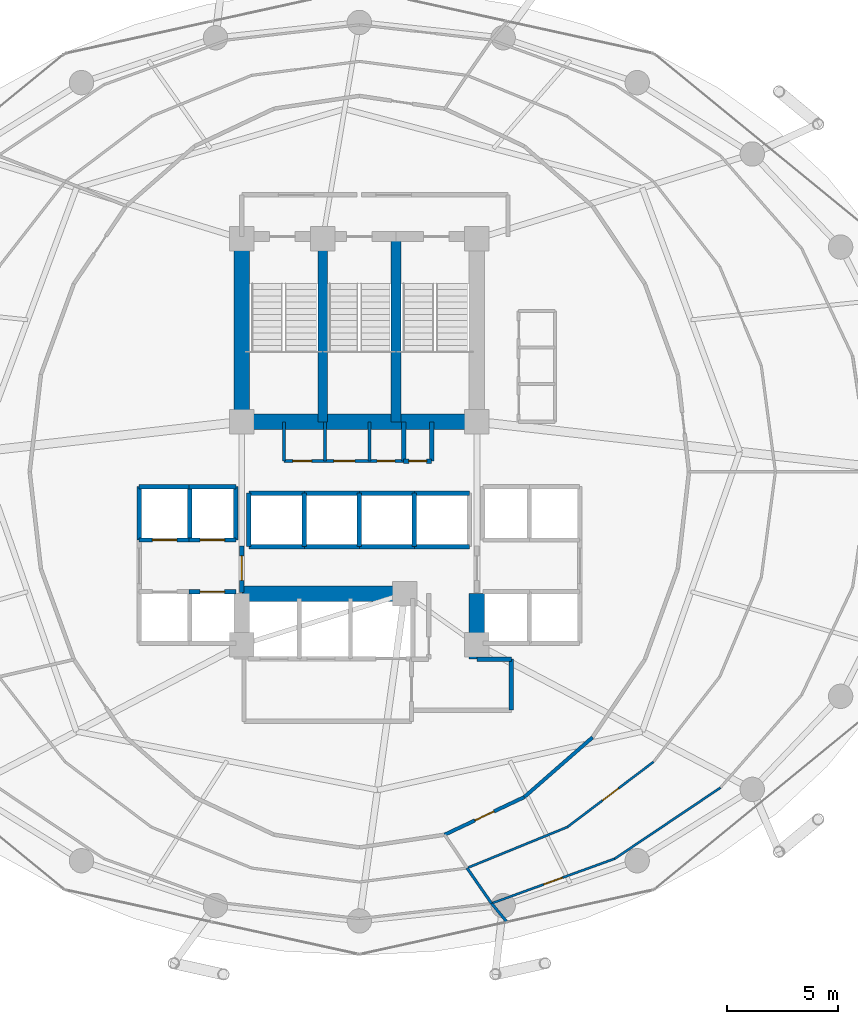
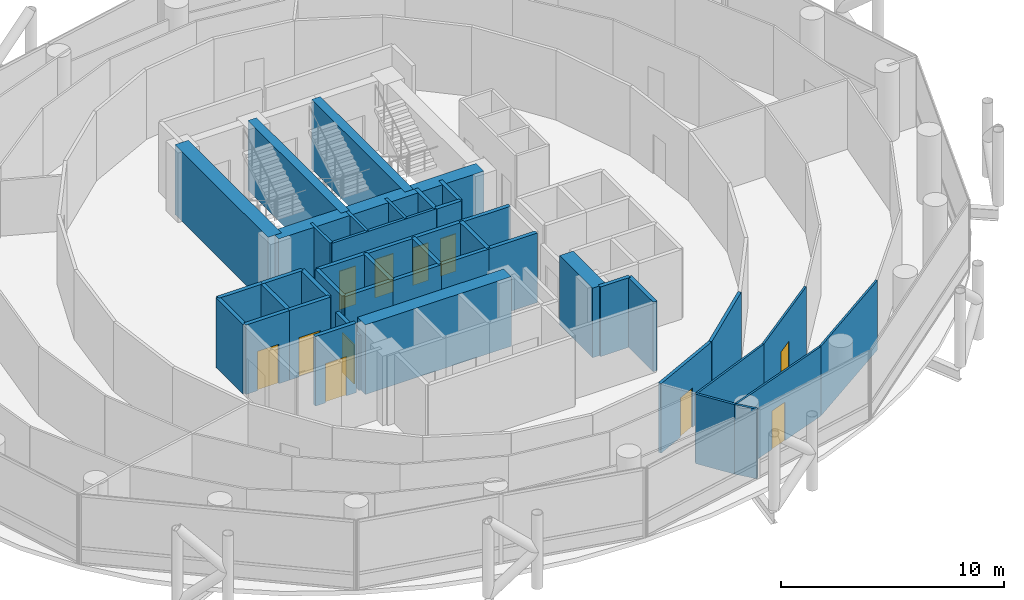
# One storey, part 22 of 26: 44 walls, 11 doors, 11 openings.
"""IFC4 building model written with IfcOpenShell, lengths in metres."""

import ifcopenshell
import ifcopenshell.guid

model = None  # the IFC model being written
_history = None  # IfcOwnerHistory: only IFC2X3 demands one
_inside = {}  # id of a spatial element -> (the spatial element, [elements in it])
_under = {}  # id of a project, library or spatial element -> (it, [spatial elements below it])
_declared = {}  # id of a project -> (the project, [libraries it declares])
_typed = {}  # id of a type object -> (the type object, [elements of that type])
_made_of = {}  # id of a material, layer set ... -> (it, [elements and type objects made of it])


def new_model(schema):
    """Start an empty IFC model of exactly this schema.

    Asked for "IFC4X3", IfcOpenShell would pick the latest addendum, in which some entities
    have other attributes; the version numbers below select the first issue.
    IFC2X3 requires an IfcOwnerHistory on every rooted entity: one is made here for all.
    """
    global model, _history
    if schema == "IFC4X3":
        model = ifcopenshell.file(schema_version=(4, 3, 0, 0))
    else:
        model = ifcopenshell.file(schema=schema)
    _inside.clear()
    _under.clear()
    _declared.clear()
    _typed.clear()
    _made_of.clear()
    _history = None
    if model.schema == "IFC2X3":
        org = make("IfcOrganization", Name="unknown")
        user = make(
            "IfcPersonAndOrganization",
            ThePerson=make("IfcPerson", FamilyName="unknown"),
            TheOrganization=org,
        )
        app = make(
            "IfcApplication",
            ApplicationDeveloper=org,
            Version="unknown",
            ApplicationFullName="unknown",
            ApplicationIdentifier="unknown",
        )
        _history = make(
            "IfcOwnerHistory",
            OwningUser=user,
            OwningApplication=app,
            ChangeAction="ADDED",
            CreationDate=0,
        )
    return model


def make(cls, **values):
    """One entity of the class cls with the attributes given. An attribute that is None is left unset."""
    return model.create_entity(
        cls, **{name: value for name, value in values.items() if value is not None}
    )


def rooted(cls, **values):
    """An entity with a GlobalId (a new one), such as an element, a storey or a relation."""
    return make(cls, GlobalId=ifcopenshell.guid.new(), OwnerHistory=_history, **values)


def si_unit(unit_type, name, prefix=None):
    """IfcSIUnit, for example si_unit("LENGTHUNIT", "METRE", prefix="MILLI")."""
    return make("IfcSIUnit", UnitType=unit_type, Prefix=prefix, Name=name)


def assignment(units):
    """IfcUnitAssignment: the units of a project."""
    return None if units is None else make("IfcUnitAssignment", Units=units)


def point(xyz):
    """IfcCartesianPoint."""
    return None if xyz is None else make("IfcCartesianPoint", Coordinates=xyz)


def direction(xyz):
    """IfcDirection."""
    return None if xyz is None else make("IfcDirection", DirectionRatios=xyz)


def frame(location, z_axis=None, x_axis=None):
    """IfcAxis2Placement3D, a coordinate frame: its origin and axes. An axis left out is left unset."""
    return make(
        "IfcAxis2Placement3D",
        Location=point(location),
        Axis=direction(z_axis),
        RefDirection=direction(x_axis),
    )


def frame_2d(location, x_axis=None):
    """IfcAxis2Placement2D, a coordinate frame in the plane: its origin and x axis."""
    return make(
        "IfcAxis2Placement2D", Location=point(location), RefDirection=direction(x_axis)
    )


def origin():
    """The frame at (0, 0, 0) with its axes left unset."""
    return frame((0.0, 0.0, 0.0))


def place(relative_to, where):
    """IfcLocalPlacement: puts the frame where relative to a parent placement (None: the world)."""
    return make(
        "IfcLocalPlacement", PlacementRelTo=relative_to, RelativePlacement=where
    )


def context(
    kind, dimensions, precision=None, world=None, true_north=None, identifier=None
):
    """IfcGeometricRepresentationContext, for example the 3D "Model" context."""
    return make(
        "IfcGeometricRepresentationContext",
        ContextIdentifier=identifier,
        ContextType=kind,
        CoordinateSpaceDimension=dimensions,
        Precision=precision,
        WorldCoordinateSystem=world,
        TrueNorth=true_north,
    )


def subcontext(parent, identifier, kind, view, scale=None):
    """IfcGeometricRepresentationSubContext, for example "Body" below "Model"."""
    return make(
        "IfcGeometricRepresentationSubContext",
        ContextIdentifier=identifier,
        ContextType=kind,
        ParentContext=parent,
        TargetScale=scale,
        TargetView=view,
    )


def project(units=None, contexts=None):
    """IfcProject with its units and contexts."""
    return rooted(
        "IfcProject",
        Name="project",
        RepresentationContexts=contexts,
        UnitsInContext=assignment(units),
    )


def spatial(cls, under=None, at=None, **own):
    """A site, building, storey or space (cls), placed at a placement, below another one or the project."""
    s = rooted(cls, ObjectPlacement=at, **own)
    if under is not None:
        _under.setdefault(under.id(), (under, []))[1].append(s)
    return s


def profile(cls, at=None, kind="AREA", **sizes):
    """A parametric profile (cls). Its sizes go by their IFC names, for example OverallWidth=200.0."""
    return make(cls, ProfileType=kind, Position=at, **sizes)


def rectangle(**sizes):
    """IfcRectangleProfileDef."""
    return profile("IfcRectangleProfileDef", **sizes)


def extrude(swept, where, along, depth):
    """IfcExtrudedAreaSolid: the profile swept, set in the frame where, extruded along a direction by depth."""
    return make(
        "IfcExtrudedAreaSolid",
        SweptArea=swept,
        Position=where,
        ExtrudedDirection=direction(along),
        Depth=depth,
    )


def shape(context_of_items, identifier, shape_type, items):
    """IfcShapeRepresentation: the items that make up one representation, for example the "Body"."""
    return make(
        "IfcShapeRepresentation",
        ContextOfItems=context_of_items,
        RepresentationIdentifier=identifier,
        RepresentationType=shape_type,
        Items=items,
    )


def material(Name=None, Category=None):
    """IfcMaterial."""
    return make("IfcMaterial", Name=Name, Category=Category)


def layer(
    of_material, thickness, ventilated=None, Name=None, Category=None, Priority=None
):
    """IfcMaterialLayer: one layer of a wall or slab, of a material (None: an air gap)."""
    return make(
        "IfcMaterialLayer",
        Material=of_material,
        LayerThickness=thickness,
        IsVentilated=ventilated,
        Name=Name,
        Category=Category,
        Priority=Priority,
    )


def layer_set(layers, Name=None):
    """IfcMaterialLayerSet."""
    return make("IfcMaterialLayerSet", MaterialLayers=layers, LayerSetName=Name)


def made_of(thing, what):
    """Note that an element or type object is made of a material, layer set ...; save() writes the relation."""
    if what is not None:
        _made_of.setdefault(what.id(), (what, []))[1].append(thing)
    return thing


def type_object(cls, material=None, **own):
    """A type object (cls), such as IfcWallType, which elements share."""
    return made_of(rooted(cls, **own), material)


def element(
    cls,
    number,
    at=None,
    inside=None,
    cuts=None,
    type_object=None,
    material=None,
    context=None,
    identifier="Body",
    shape_type=None,
    held_by="IfcProductDefinitionShape",
    body=None,
    shapes=None,
    **own,
):
    """One element of the class cls, such as IfcWall. Its Tag is "e" and its number.

    at: its placement. inside: the storey or other place that contains it. cuts: it is an
    opening in that element (IfcRelVoidsElement). A single representation is given by context,
    identifier, shape_type and body (its items); several are given by shapes. held_by: the class
    of the entity that holds the representations. save() writes the other relations.
    """
    e = rooted(cls, Tag="e%d" % number, ObjectPlacement=at, **own)
    if body is not None:
        shapes = [shape(context, identifier, shape_type, body)]
    if shapes is not None:
        e.Representation = make(held_by, Representations=shapes)
    if inside is not None:
        _inside.setdefault(inside.id(), (inside, []))[1].append(e)
    if cuts is not None:
        rooted(
            "IfcRelVoidsElement", RelatingBuildingElement=cuts, RelatedOpeningElement=e
        )
    if type_object is not None:
        _typed.setdefault(type_object.id(), (type_object, []))[1].append(e)
    return made_of(e, material)


def fill(opening, filler):
    """IfcRelFillsElement: the door or window that sits in an opening."""
    return rooted(
        "IfcRelFillsElement",
        RelatingOpeningElement=opening,
        RelatedBuildingElement=filler,
    )


def aggregate(whole, parts):
    """IfcRelAggregates: a whole, such as a stair, and the parts it consists of."""
    return rooted("IfcRelAggregates", RelatingObject=whole, RelatedObjects=parts)


def save(model, path):
    """Write the relations noted so far, then the file.

    IfcRelAggregates (storeys below a building ...), IfcRelContainedInSpatialStructure (elements
    in a storey), IfcRelDefinesByType, IfcRelAssociatesMaterial and IfcRelDeclares: one each for
    every whole, place, type object, material and project.
    """
    for whole, parts in _under.values():
        aggregate(whole, parts)
    for where, things in _inside.values():
        rooted(
            "IfcRelContainedInSpatialStructure",
            RelatedElements=things,
            RelatingStructure=where,
        )
    for kind, things in _typed.values():
        rooted("IfcRelDefinesByType", RelatedObjects=things, RelatingType=kind)
    for what, things in _made_of.values():
        rooted("IfcRelAssociatesMaterial", RelatedObjects=things, RelatingMaterial=what)
    for by, libraries in _declared.values():
        rooted("IfcRelDeclares", RelatingContext=by, RelatedDefinitions=libraries)
    model.write(path)


model = new_model("IFC4")

# Units and contexts
model_context = context("Model", 3, precision=1e-05, world=origin(), true_north=direction((0.0, 1.0)))
body_context = subcontext(model_context, "Body", "Model", "MODEL_VIEW")
ifc_project = project(units=[si_unit("LENGTHUNIT", "METRE"), si_unit("AREAUNIT", "SQUARE_METRE"), si_unit("VOLUMEUNIT", "CUBIC_METRE"), si_unit("PLANEANGLEUNIT", "RADIAN"), si_unit("MASSUNIT", "GRAM", prefix="KILO")], contexts=[model_context])

# Site, building, storey
site_placement = place(None, origin())
site = spatial("IfcSite", under=ifc_project, at=site_placement, CompositionType="ELEMENT")
building_placement = place(site_placement, origin())
building = spatial("IfcBuilding", under=site, at=building_placement, Name="Nuhasar Tower", CompositionType="ELEMENT")
storey_placement = place(building_placement, frame((0.0, 0.0, 93.89990234375)))
storey = spatial("IfcBuildingStorey", under=building, at=storey_placement, Name="L22", CompositionType="ELEMENT", Elevation=93.89990234375)

# Walls
ifc_material_1 = material(Name="Concrete C50/60", Category="concrete")
ifc_layer_1 = layer(ifc_material_1, 0.449951171875)
ifc_layer_set_1 = layer_set([ifc_layer_1], Name="Concrete C50/60")
wall_type_1 = type_object("IfcWallType", Name="WL-CORE-450", PredefinedType="SHEAR", material=ifc_layer_set_1)
for number, where, z_axis, x_axis, name in (
    (1, (37.35009765625, 29.050048828125, 0.0), (0.0, 0.0, 1.0), (0.0, 1.0, 0.0), "L22 Stairwell Shear Wall ST01-E"),
    (2, (40.64990234375, 29.050048828125, 0.0), (0.0, 0.0, 1.0), (0.0, 1.0, 0.0), "L22 Stairwell Shear Wall ST03-E"),
):
    element("IfcWall", number, at=place(storey_placement, frame(where, z_axis=z_axis, x_axis=x_axis)), inside=storey, type_object=wall_type_1, Name=name, PredefinedType="SHEAR", context=body_context, shape_type="SweptSolid", body=[
        extrude(rectangle(XDim=8.349853515625, YDim=0.449951171875, at=frame_2d((4.1748046875, 0.0))), origin(), (0.0, 0.0, 1.0), 3.800048828125),
    ])
ifc_material_2 = material(Name="Concrete C65/80", Category="concrete")
ifc_layer_2 = layer(ifc_material_2, 0.699951171875)
ifc_layer_set_2 = layer_set([ifc_layer_2], Name="Concrete C65/80")
wall_type_2 = type_object("IfcWallType", Name="WL-CORE-700", PredefinedType="SHEAR", material=ifc_layer_set_2)
wall_1_placement = place(storey_placement, frame((33.699951171875, 29.050048828125, 0.0), z_axis=(0.0, 0.0, 1.0), x_axis=(0.0, 1.0, 0.0)))
element("IfcWall", 3, at=wall_1_placement, inside=storey, type_object=wall_type_2, Name="L22 Core Shear Wall CW-NW CW-700", PredefinedType="SHEAR", context=body_context, shape_type="SweptSolid", body=[
    extrude(rectangle(XDim=8.349853515625, YDim=0.699951171875, at=frame_2d((4.1748046875, 0.0))), origin(), (0.0, 0.0, 1.0), 3.800048828125),
])
wall_2_placement = place(storey_placement, frame((44.300048828125, 18.35009765625, 0.0), z_axis=(0.0, 0.0, 1.0), x_axis=(0.0, 1.0, 0.0)))
element("IfcWall", 4, at=wall_2_placement, inside=storey, type_object=wall_type_2, Name="L22 Core Shear Wall CW-SE CW-700", PredefinedType="SHEAR", context=body_context, shape_type="SweptSolid", body=[
    extrude(rectangle(XDim=2.949951171875, YDim=0.699951171875, at=frame_2d((1.47509765625, 0.0))), origin(), (0.0, 0.0, 1.0), 3.800048828125),
])
wall_3_placement = place(storey_placement, frame((33.699951171875, 29.050048828125, 0.0), z_axis=(0.0, 0.0, 1.0), x_axis=(1.0, 0.0, 0.0)))
element("IfcWall", 5, at=wall_3_placement, inside=storey, type_object=wall_type_2, Name="L22 Core Shear Wall CW-N1 CW-700", PredefinedType="SHEAR", context=body_context, shape_type="SweptSolid", body=[
    extrude(rectangle(XDim=10.60009765625, YDim=0.699951171875, at=frame_2d((5.300048828125, 0.0))), origin(), (0.0, 0.0, 1.0), 3.800048828125),
])
wall_4_placement = place(storey_placement, frame((33.699951171875, 21.300048828125, 0.0), z_axis=(0.0, 0.0, 1.0), x_axis=(1.0, 0.0, 0.0)))
element("IfcWall", 6, at=wall_4_placement, inside=storey, type_object=wall_type_2, Name="L22 Core Shear Wall CW-S1 CW-700", PredefinedType="SHEAR", context=body_context, shape_type="SweptSolid", body=[
    extrude(rectangle(XDim=7.550048828125, YDim=0.699951171875, at=frame_2d((3.77490234375, 0.0))), origin(), (0.0, 0.0, 1.0), 3.800048828125),
])

# Wall, opening, door
ifc_material_3 = material(Name="Gypsum Board", Category="gypsum")
ifc_layer_3 = layer(ifc_material_3, 0.159912109375)
ifc_layer_set_3 = layer_set([ifc_layer_3], Name="Gypsum Board")
wall_type_3 = type_object("IfcWallType", Name="WL-CORR-160", PredefinedType="PARTITIONING", material=ifc_layer_set_3)
wall_5_placement = place(storey_placement, frame((46.429931640625, 12.1298828125, 0.0), z_axis=(0.0, 0.0, 1.0), x_axis=(-0.904206361714, -0.427095838701, 0.0)))
wall_5 = element("IfcWall", 7, at=wall_5_placement, inside=storey, type_object=wall_type_3, Name="L22 Interior Partition CORR-38", PredefinedType="PARTITIONING", context=body_context, shape_type="SweptSolid", body=[
    extrude(rectangle(XDim=3.963623046875, YDim=0.159912109375, at=frame_2d((1.98193359375, 0.0))), origin(), (0.0, 0.0, 1.0), 3.800048828125),
])
opening_1_placement = place(wall_5_placement, frame((1.507080078125, 0.0, 0.0)))
opening_1 = element("IfcOpeningElement", 8, at=opening_1_placement, cuts=wall_5, Name="Opening DO-01", PredefinedType="OPENING", context=body_context, shape_type="SweptSolid", body=[
    extrude(rectangle(XDim=0.949951171875, YDim=2.14990234375, at=frame_2d((0.47509765625, 1.074951171875))), frame((0.0, 0.08984375, 0.0), z_axis=(0.0, -1.0, 0.0), x_axis=(1.0, 0.0, 0.0)), (0.0, 0.0, 1.0), 0.179931640625),
])
ifc_material_4 = material(Name="Timber Oak", Category="wood")
door_type_1 = type_object("IfcDoorType", Name="DR-OFFICE-FD30-950", OperationType="NOTDEFINED", PredefinedType="DOOR", material=ifc_material_4)
door_1_placement = place(opening_1_placement, origin())
door_1 = element("IfcDoor", 9, at=door_1_placement, inside=storey, type_object=door_type_1, Name="L22 Private Chef Pantry Entry Door", OperationType="SINGLE_SWING_RIGHT", OverallHeight=2.14990234375, OverallWidth=0.949951171875, PredefinedType="DOOR", context=body_context, shape_type="SweptSolid", body=[
    extrude(rectangle(XDim=0.949951171875, YDim=2.14990234375, at=frame_2d((0.47509765625, 1.074951171875))), frame((0.0, 0.02490234375, 0.0), z_axis=(0.0, -1.0, 0.0), x_axis=(1.0, 0.0, 0.0)), (0.0, 0.0, 1.0), 0.050048828125),
])
fill(opening_1, door_1)

# Wall
wall_6_placement = place(storey_placement, frame((46.429931640625, 12.1298828125, 0.0), z_axis=(0.0, 0.0, 1.0), x_axis=(0.752724610228, 0.658335523238, 0.0)))
element("IfcWall", 10, at=wall_6_placement, inside=storey, type_object=wall_type_3, Name="L22 Interior Partition CORR-40", PredefinedType="PARTITIONING", context=body_context, shape_type="SweptSolid", body=[
    extrude(rectangle(XDim=4.08935546875, YDim=0.159912109375, at=frame_2d((2.044677734375, 0.0))), origin(), (0.0, 0.0, 1.0), 3.800048828125),
])

# Wall, opening, door
ifc_material_5 = material(Name="Concrete C45/55", Category="concrete")
ifc_layer_4 = layer(ifc_material_5, 0.199951171875)
ifc_layer_set_4 = layer_set([ifc_layer_4], Name="Concrete C45/55")
wall_type_4 = type_object("IfcWallType", Name="WL-LOBBY-200", PredefinedType="SOLIDWALL", material=ifc_layer_set_4)
wall_7_placement = place(storey_placement, frame((33.699951171875, 21.35009765625, 0.0), z_axis=(0.0, 0.0, 1.0), x_axis=(0.0, 1.0, 0.0)))
wall_7 = element("IfcWall", 11, at=wall_7_placement, inside=storey, type_object=wall_type_4, Name="L22 Interior Partition LLBH-W", PredefinedType="SOLIDWALL", context=body_context, shape_type="SweptSolid", body=[
    extrude(rectangle(XDim=2.099853515625, YDim=0.199951171875, at=frame_2d((1.0498046875, 0.0))), origin(), (0.0, 0.0, 1.0), 3.02001953125),
])
opening_2_placement = place(wall_7_placement, frame((0.550048828125, 0.0, 0.0)))
opening_2 = element("IfcOpeningElement", 12, at=opening_2_placement, cuts=wall_7, Name="Opening DS-02", PredefinedType="OPENING", context=body_context, shape_type="SweptSolid", body=[
    extrude(rectangle(XDim=1.10009765625, YDim=2.14990234375, at=frame_2d((0.550048828125, 1.074951171875))), frame((0.0, 0.10986328125, 0.0), z_axis=(0.0, -1.0, 0.0), x_axis=(1.0, 0.0, 0.0)), (0.0, 0.0, 1.0), 0.219970703125),
])
ifc_material_6 = material(Name="Steel S355", Category="steel")
door_type_2 = type_object("IfcDoorType", Name="DR-FFL-FD120-1100", OperationType="NOTDEFINED", PredefinedType="DOOR", material=ifc_material_6)
door_2_placement = place(opening_2_placement, origin())
door_2 = element("IfcDoor", 13, at=door_2_placement, inside=storey, type_object=door_type_2, Name="L22 High-Rise Lobby West Door", OperationType="SINGLE_SWING_RIGHT", OverallHeight=2.14990234375, OverallWidth=1.10009765625, PredefinedType="DOOR", context=body_context, shape_type="SweptSolid", body=[
    extrude(rectangle(XDim=1.10009765625, YDim=2.14990234375, at=frame_2d((0.550048828125, 1.074951171875))), frame((0.0, 0.02490234375, 0.0), z_axis=(0.0, -1.0, 0.0), x_axis=(1.0, 0.0, 0.0)), (0.0, 0.0, 1.0), 0.050048828125),
])
fill(opening_2, door_2)

# Walls
wall_8_placement = place(storey_placement, frame((45.85009765625, 16.050048828125, 0.0), z_axis=(0.0, 0.0, 1.0), x_axis=(0.0, 1.0, 0.0)))
element("IfcWall", 14, at=wall_8_placement, inside=storey, type_object=wall_type_4, Name="L22 Interior Partition SVLV-E", PredefinedType="SOLIDWALL", context=body_context, shape_type="SweptSolid", body=[
    extrude(rectangle(XDim=2.300048828125, YDim=0.199951171875, at=frame_2d((1.14990234375, 0.0))), origin(), (0.0, 0.0, 1.0), 3.800048828125),
])
wall_9_placement = place(storey_placement, frame((44.300048828125, 18.35009765625, 0.0), z_axis=(0.0, 0.0, 1.0), x_axis=(1.0, 0.0, 0.0)))
element("IfcWall", 15, at=wall_9_placement, inside=storey, type_object=wall_type_4, Name="L22 Interior Partition SVLV-N", PredefinedType="SOLIDWALL", context=body_context, shape_type="SweptSolid", body=[
    extrude(rectangle(XDim=1.550048828125, YDim=0.199951171875, at=frame_2d((0.77490234375, 0.0))), origin(), (0.0, 0.0, 1.0), 3.800048828125),
])
ifc_material_7 = material(Name="Aluminium 6063-T6", Category="aluminium")
ifc_layer_5 = layer(ifc_material_7, 0.10009765625)
ifc_layer_set_5 = layer_set([ifc_layer_5], Name="Aluminium 6063-T6")
wall_type_5 = type_object("IfcWallType", Name="WL-MOVABLE-100", PredefinedType="MOVABLE", material=ifc_layer_set_5)
wall_10_placement = place(storey_placement, frame((43.85400390625, 8.93408203125, 0.0), z_axis=(0.0, 0.0, 1.0), x_axis=(0.925718788243, 0.378212539577, 0.0)))
element("IfcWall", 16, at=wall_10_placement, inside=storey, type_object=wall_type_5, Name="L22 Interior Partition OR1-05-38", PredefinedType="MOVABLE", context=body_context, shape_type="SweptSolid", body=[
    extrude(rectangle(XDim=4.885986328125, YDim=0.10009765625, at=frame_2d((2.44287109375, 0.0))), origin(), (0.0, 0.0, 1.0), 3.800048828125),
])

# Wall, opening, door
wall_11_placement = place(storey_placement, frame((48.376953125, 10.781982421875, 0.0), z_axis=(0.0, 0.0, 1.0), x_axis=(0.797509354447, 0.603306580081, 0.0)))
wall_11 = element("IfcWall", 17, at=wall_11_placement, inside=storey, type_object=wall_type_5, Name="L22 Interior Partition OR1-05-40", PredefinedType="MOVABLE", context=body_context, shape_type="SweptSolid", body=[
    extrude(rectangle(XDim=4.871337890625, YDim=0.10009765625, at=frame_2d((2.435546875, 0.0))), origin(), (0.0, 0.0, 1.0), 3.800048828125),
])
opening_3_placement = place(wall_11_placement, frame((1.986083984375, 0.0, 0.0)))
opening_3 = element("IfcOpeningElement", 18, at=opening_3_placement, cuts=wall_11, Name="Opening DR-01", PredefinedType="OPENING", context=body_context, shape_type="SweptSolid", body=[
    extrude(rectangle(XDim=0.89990234375, YDim=2.10009765625, at=frame_2d((0.449951171875, 1.050048828125))), frame((0.0, 0.06005859375, 0.0), z_axis=(0.0, -1.0, 0.0), x_axis=(1.0, 0.0, 0.0)), (0.0, 0.0, 1.0), 0.1201171875),
])
door_type_3 = type_object("IfcDoorType", Name="DR-ROOM-900", OperationType="NOTDEFINED", PredefinedType="DOOR", material=ifc_material_4)
door_3_placement = place(opening_3_placement, origin())
door_3 = element("IfcDoor", 19, at=door_3_placement, inside=storey, type_object=door_type_3, Name="L22 Private Chef Pantry Mid Door", OperationType="SINGLE_SWING_LEFT", OverallHeight=2.10009765625, OverallWidth=0.89990234375, PredefinedType="DOOR", context=body_context, shape_type="SweptSolid", body=[
    extrude(rectangle(XDim=0.89990234375, YDim=2.10009765625, at=frame_2d((0.449951171875, 1.050048828125))), frame((0.0, 0.02490234375, 0.0), z_axis=(0.0, -1.0, 0.0), x_axis=(1.0, 0.0, 0.0)), (0.0, 0.0, 1.0), 0.050048828125),
])
fill(opening_3, door_3)

wall_12_placement = place(storey_placement, frame((44.95703125, 7.341064453125, 0.0), z_axis=(0.0, 0.0, 1.0), x_axis=(0.940117685929, 0.340850020689, 0.0)))
wall_12 = element("IfcWall", 20, at=wall_12_placement, inside=storey, type_object=wall_type_5, Name="L22 Interior Partition OR2-05-38", PredefinedType="MOVABLE", context=body_context, shape_type="SweptSolid", body=[
    extrude(rectangle(XDim=5.90576171875, YDim=0.10009765625, at=frame_2d((2.952880859375, 0.0))), origin(), (0.0, 0.0, 1.0), 3.800048828125),
])
opening_4_placement = place(wall_12_placement, frame((2.5029296875, 0.0, 0.0)))
opening_4 = element("IfcOpeningElement", 21, at=opening_4_placement, cuts=wall_12, Name="Opening DR-01", PredefinedType="OPENING", context=body_context, shape_type="SweptSolid", body=[
    extrude(rectangle(XDim=0.89990234375, YDim=2.10009765625, at=frame_2d((0.449951171875, 1.050048828125))), frame((0.0, 0.06005859375, 0.0), z_axis=(0.0, -1.0, 0.0), x_axis=(1.0, 0.0, 0.0)), (0.0, 0.0, 1.0), 0.1201171875),
])
door_4_placement = place(opening_4_placement, origin())
door_4 = element("IfcDoor", 22, at=door_4_placement, inside=storey, type_object=door_type_3, Name="L22 Private Chef Pantry Outer Door", OperationType="SINGLE_SWING_LEFT", OverallHeight=2.10009765625, OverallWidth=0.89990234375, PredefinedType="DOOR", context=body_context, shape_type="SweptSolid", body=[
    extrude(rectangle(XDim=0.89990234375, YDim=2.10009765625, at=frame_2d((0.449951171875, 1.050048828125))), frame((0.0, 0.02490234375, 0.0), z_axis=(0.0, -1.0, 0.0), x_axis=(1.0, 0.0, 0.0)), (0.0, 0.0, 1.0), 0.050048828125),
])
fill(opening_4, door_4)

# Walls
wall_13_placement = place(storey_placement, frame((50.509033203125, 9.35400390625, 0.0), z_axis=(0.0, 0.0, 1.0), x_axis=(0.830194424377, 0.557473961485, 0.0)))
element("IfcWall", 23, at=wall_13_placement, inside=storey, type_object=wall_type_5, Name="L22 Interior Partition OR2-05-40", PredefinedType="MOVABLE", context=body_context, shape_type="SweptSolid", body=[
    extrude(rectangle(XDim=5.741943359375, YDim=0.10009765625, at=frame_2d((2.87109375, 0.0))), origin(), (0.0, 0.0, 1.0), 3.800048828125),
])
ifc_layer_6 = layer(ifc_material_3, 0.125)
ifc_layer_set_6 = layer_set([ifc_layer_6], Name="Gypsum Board")
wall_type_6 = type_object("IfcWallType", Name="WL-PART-125", PredefinedType="PARTITIONING", material=ifc_layer_set_6)
wall_14_placement = place(storey_placement, frame((43.85400390625, 8.93408203125, 0.0), z_axis=(0.0, 0.0, 1.0), x_axis=(0.569268945464, -0.822151365461, 0.0)))
element("IfcWall", 24, at=wall_14_placement, inside=storey, type_object=wall_type_6, Name="L22 Interior Partition ORAD7-38-S2", PredefinedType="PARTITIONING", context=body_context, shape_type="SweptSolid", body=[
    extrude(rectangle(XDim=1.9375, YDim=0.125, at=frame_2d((0.96875, 0.0))), origin(), (0.0, 0.0, 1.0), 3.800048828125),
])
wall_15_placement = place(storey_placement, frame((44.95703125, 7.341064453125, 0.0), z_axis=(0.0, 0.0, 1.0), x_axis=(0.639729139547, -0.768600434566, 0.0)))
element("IfcWall", 25, at=wall_15_placement, inside=storey, type_object=wall_type_6, Name="L22 Interior Partition ORAD7-38-S3", PredefinedType="PARTITIONING", context=body_context, shape_type="SweptSolid", body=[
    extrude(rectangle(XDim=1.05517578125, YDim=0.125, at=frame_2d((0.527587890625, 0.0))), origin(), (0.0, 0.0, 1.0), 3.800048828125),
])
ifc_layer_7 = layer(ifc_material_5, 0.199951171875)
ifc_layer_set_7 = layer_set([ifc_layer_7], Name="Concrete C45/55")
wall_type_7 = type_object("IfcWallType", Name="WL-SHAFT-200", PredefinedType="SOLIDWALL", material=ifc_layer_set_7)
for number, where, z_axis, x_axis, name in (
    (26, (41.0, 27.280029296875, 0.0), (0.0, 0.0, 1.0), (0.0, 1.0, 0.0), "L22 Interior Partition RSRN-W"),
    (27, (42.260009765625, 27.280029296875, 0.0), (0.0, 0.0, 1.0), (0.0, 1.0, 0.0), "L22 Interior Partition RSRN-E"),
):
    element("IfcWall", number, at=place(storey_placement, frame(where, z_axis=z_axis, x_axis=x_axis)), inside=storey, type_object=wall_type_7, Name=name, PredefinedType="SOLIDWALL", context=body_context, shape_type="SweptSolid", body=[
        extrude(rectangle(XDim=1.77001953125, YDim=0.199951171875, at=frame_2d((0.885009765625, 0.0))), origin(), (0.0, 0.0, 1.0), 3.800048828125),
    ])

# Wall, opening, door
wall_16_placement = place(storey_placement, frame((41.0, 27.280029296875, 0.0), z_axis=(0.0, 0.0, 1.0), x_axis=(1.0, 0.0, 0.0)))
wall_16 = element("IfcWall", 28, at=wall_16_placement, inside=storey, type_object=wall_type_7, Name="L22 Interior Partition RSRN-S", PredefinedType="SOLIDWALL", context=body_context, shape_type="SweptSolid", body=[
    extrude(rectangle(XDim=1.260009765625, YDim=0.199951171875, at=frame_2d((0.6298828125, 0.0))), origin(), (0.0, 0.0, 1.0), 3.800048828125),
])
opening_5_placement = place(wall_16_placement, frame((0.22998046875, 0.0, 0.0)))
opening_5 = element("IfcOpeningElement", 29, at=opening_5_placement, cuts=wall_16, Name="Opening DM-01", PredefinedType="OPENING", context=body_context, shape_type="SweptSolid", body=[
    extrude(rectangle(XDim=0.800048828125, YDim=2.050048828125, at=frame_2d((0.39990234375, 1.02490234375))), frame((0.0, 0.10986328125, 0.0), z_axis=(0.0, -1.0, 0.0), x_axis=(1.0, 0.0, 0.0)), (0.0, 0.0, 1.0), 0.219970703125),
])
door_type_4 = type_object("IfcDoorType", Name="DR-RISER-FD60-800", OperationType="NOTDEFINED", PredefinedType="DOOR", material=ifc_material_6)
door_5_placement = place(opening_5_placement, origin())
door_5 = element("IfcDoor", 30, at=door_5_placement, inside=storey, type_object=door_type_4, Name="L22 North Smoke Riser Door", OperationType="SINGLE_SWING_RIGHT", OverallHeight=2.050048828125, OverallWidth=0.800048828125, PredefinedType="DOOR", context=body_context, shape_type="SweptSolid", body=[
    extrude(rectangle(XDim=0.800048828125, YDim=2.050048828125, at=frame_2d((0.39990234375, 1.02490234375))), frame((0.0, 0.02490234375, 0.0), z_axis=(0.0, -1.0, 0.0), x_axis=(1.0, 0.0, 0.0)), (0.0, 0.0, 1.0), 0.050048828125),
])
fill(opening_5, door_5)

wall_17_placement = place(storey_placement, frame((29.070068359375, 23.719970703125, 0.0), z_axis=(0.0, 0.0, 1.0), x_axis=(1.0, 0.0, 0.0)))
wall_17 = element("IfcWall", 31, at=wall_17_placement, inside=storey, type_object=wall_type_7, Name="L22 Interior Partition SHF-PL-L01-S", PredefinedType="SOLIDWALL", context=body_context, shape_type="SweptSolid", body=[
    extrude(rectangle(XDim=2.309814453125, YDim=0.199951171875, at=frame_2d((1.15478515625, 0.0))), origin(), (0.0, 0.0, 1.0), 3.800048828125),
])
opening_6_placement = place(wall_17_placement, frame((0.60498046875, 0.0, 0.0)))
opening_6 = element("IfcOpeningElement", 32, at=opening_6_placement, cuts=wall_17, Name="Opening LD-L01", PredefinedType="OPENING", context=body_context, shape_type="SweptSolid", body=[
    extrude(rectangle(XDim=1.10009765625, YDim=2.14990234375, at=frame_2d((0.550048828125, 1.074951171875))), frame((0.0, 0.10986328125, 0.0), z_axis=(0.0, -1.0, 0.0), x_axis=(1.0, 0.0, 0.0)), (0.0, 0.0, 1.0), 0.219970703125),
])
ifc_material_8 = material(Name="Stainless Steel 316L", Category="steel")
door_type_5 = type_object("IfcDoorType", Name="LD-PAX-1100", OperationType="DOUBLE_DOOR_SLIDING", PredefinedType="DOOR", material=ifc_material_8)
door_6_placement = place(opening_6_placement, origin())
door_6 = element("IfcDoor", 33, at=door_6_placement, inside=storey, type_object=door_type_5, Name="L22 Lift Landing Door PL-L01", OperationType="DOUBLE_DOOR_SLIDING", OverallHeight=2.14990234375, OverallWidth=1.10009765625, PredefinedType="DOOR", context=body_context, shape_type="SweptSolid", body=[
    extrude(rectangle(XDim=1.10009765625, YDim=2.14990234375, at=frame_2d((0.550048828125, 1.074951171875))), frame((0.0, 0.02490234375, 0.0), z_axis=(0.0, -1.0, 0.0), x_axis=(1.0, 0.0, 0.0)), (0.0, 0.0, 1.0), 0.050048828125),
])
fill(opening_6, door_6)

# Walls
wall_18_placement = place(storey_placement, frame((29.070068359375, 26.1298828125, 0.0), z_axis=(0.0, 0.0, 1.0), x_axis=(1.0, 0.0, 0.0)))
element("IfcWall", 34, at=wall_18_placement, inside=storey, type_object=wall_type_7, Name="L22 Interior Partition SHF-PL-L01-N", PredefinedType="SOLIDWALL", context=body_context, shape_type="SweptSolid", body=[
    extrude(rectangle(XDim=2.309814453125, YDim=0.199951171875, at=frame_2d((1.15478515625, 0.0))), origin(), (0.0, 0.0, 1.0), 3.800048828125),
])
for number, where, z_axis, x_axis, name in (
    (35, (29.070068359375, 23.719970703125, 0.0), (0.0, 0.0, 1.0), (0.0, 1.0, 0.0), "L22 Interior Partition SHF-PL-L01-W"),
    (36, (31.35009765625, 23.719970703125, 0.0), (0.0, 0.0, 1.0), (0.0, 1.0, 0.0), "L22 Interior Partition SHF-PL-L01-E"),
):
    element("IfcWall", number, at=place(storey_placement, frame(where, z_axis=z_axis, x_axis=x_axis)), inside=storey, type_object=wall_type_7, Name=name, PredefinedType="SOLIDWALL", context=body_context, shape_type="SweptSolid", body=[
        extrude(rectangle(XDim=2.409912109375, YDim=0.199951171875, at=frame_2d((1.205078125, 0.0))), origin(), (0.0, 0.0, 1.0), 3.800048828125),
    ])

# Wall, opening, door
wall_19_placement = place(storey_placement, frame((31.320068359375, 23.719970703125, 0.0), z_axis=(0.0, 0.0, 1.0), x_axis=(1.0, 0.0, 0.0)))
wall_19 = element("IfcWall", 37, at=wall_19_placement, inside=storey, type_object=wall_type_7, Name="L22 Interior Partition SHF-PL-L02-S", PredefinedType="SOLIDWALL", context=body_context, shape_type="SweptSolid", body=[
    extrude(rectangle(XDim=2.10986328125, YDim=0.199951171875, at=frame_2d((1.054931640625, 0.0))), origin(), (0.0, 0.0, 1.0), 3.800048828125),
])
opening_7_placement = place(wall_19_placement, frame((0.5048828125, 0.0, 0.0)))
opening_7 = element("IfcOpeningElement", 38, at=opening_7_placement, cuts=wall_19, Name="Opening LD-L02", PredefinedType="OPENING", context=body_context, shape_type="SweptSolid", body=[
    extrude(rectangle(XDim=1.10009765625, YDim=2.14990234375, at=frame_2d((0.550048828125, 1.074951171875))), frame((0.0, 0.10986328125, 0.0), z_axis=(0.0, -1.0, 0.0), x_axis=(1.0, 0.0, 0.0)), (0.0, 0.0, 1.0), 0.219970703125),
])
door_7_placement = place(opening_7_placement, origin())
door_7 = element("IfcDoor", 39, at=door_7_placement, inside=storey, type_object=door_type_5, Name="L22 Lift Landing Door PL-L02", OperationType="DOUBLE_DOOR_SLIDING", OverallHeight=2.14990234375, OverallWidth=1.10009765625, PredefinedType="DOOR", context=body_context, shape_type="SweptSolid", body=[
    extrude(rectangle(XDim=1.10009765625, YDim=2.14990234375, at=frame_2d((0.550048828125, 1.074951171875))), frame((0.0, 0.02490234375, 0.0), z_axis=(0.0, -1.0, 0.0), x_axis=(1.0, 0.0, 0.0)), (0.0, 0.0, 1.0), 0.050048828125),
])
fill(opening_7, door_7)

# Walls
wall_20_placement = place(storey_placement, frame((31.320068359375, 26.1298828125, 0.0), z_axis=(0.0, 0.0, 1.0), x_axis=(1.0, 0.0, 0.0)))
element("IfcWall", 40, at=wall_20_placement, inside=storey, type_object=wall_type_7, Name="L22 Interior Partition SHF-PL-L02-N", PredefinedType="SOLIDWALL", context=body_context, shape_type="SweptSolid", body=[
    extrude(rectangle(XDim=2.10986328125, YDim=0.199951171875, at=frame_2d((1.054931640625, 0.0))), origin(), (0.0, 0.0, 1.0), 3.800048828125),
])
wall_21_placement = place(storey_placement, frame((33.429931640625, 23.719970703125, 0.0), z_axis=(0.0, 0.0, 1.0), x_axis=(0.0, 1.0, 0.0)))
element("IfcWall", 41, at=wall_21_placement, inside=storey, type_object=wall_type_7, Name="L22 Interior Partition SHF-PL-L02-E", PredefinedType="SOLIDWALL", context=body_context, shape_type="SweptSolid", body=[
    extrude(rectangle(XDim=2.409912109375, YDim=0.199951171875, at=frame_2d((1.205078125, 0.0))), origin(), (0.0, 0.0, 1.0), 3.800048828125),
])

# Wall, opening, door
wall_22_placement = place(storey_placement, frame((31.320068359375, 21.3798828125, 0.0), z_axis=(0.0, 0.0, 1.0), x_axis=(1.0, 0.0, 0.0)))
wall_22 = element("IfcWall", 42, at=wall_22_placement, inside=storey, type_object=wall_type_7, Name="L22 Interior Partition SHF-PL-L04-N", PredefinedType="SOLIDWALL", context=body_context, shape_type="SweptSolid", body=[
    extrude(rectangle(XDim=2.10986328125, YDim=0.199951171875, at=frame_2d((1.054931640625, 0.0))), origin(), (0.0, 0.0, 1.0), 3.800048828125),
])
opening_8_placement = place(wall_22_placement, frame((0.5048828125, 0.0, 0.0)))
opening_8 = element("IfcOpeningElement", 43, at=opening_8_placement, cuts=wall_22, Name="Opening LD-L04", PredefinedType="OPENING", context=body_context, shape_type="SweptSolid", body=[
    extrude(rectangle(XDim=1.10009765625, YDim=2.14990234375, at=frame_2d((0.550048828125, 1.074951171875))), frame((0.0, 0.10986328125, 0.0), z_axis=(0.0, -1.0, 0.0), x_axis=(1.0, 0.0, 0.0)), (0.0, 0.0, 1.0), 0.219970703125),
])
door_8_placement = place(opening_8_placement, origin())
door_8 = element("IfcDoor", 44, at=door_8_placement, inside=storey, type_object=door_type_5, Name="L22 Lift Landing Door PL-L04", OperationType="DOUBLE_DOOR_SLIDING", OverallHeight=2.14990234375, OverallWidth=1.10009765625, PredefinedType="DOOR", context=body_context, shape_type="SweptSolid", body=[
    extrude(rectangle(XDim=1.10009765625, YDim=2.14990234375, at=frame_2d((0.550048828125, 1.074951171875))), frame((0.0, 0.02490234375, 0.0), z_axis=(0.0, -1.0, 0.0), x_axis=(1.0, 0.0, 0.0)), (0.0, 0.0, 1.0), 0.050048828125),
])
fill(opening_8, door_8)

# Walls
for number, where, z_axis, x_axis, name in (
    (45, (34.02001953125, 23.419921875, 0.0), (0.0, 0.0, 1.0), (1.0, 0.0, 0.0), "L22 Interior Partition SHF-PL-H01-S"),
    (46, (34.02001953125, 25.830078125, 0.0), (0.0, 0.0, 1.0), (1.0, 0.0, 0.0), "L22 Interior Partition SHF-PL-H01-N"),
):
    element("IfcWall", number, at=place(storey_placement, frame(where, z_axis=z_axis, x_axis=x_axis)), inside=storey, type_object=wall_type_7, Name=name, PredefinedType="SOLIDWALL", context=body_context, shape_type="SweptSolid", body=[
        extrude(rectangle(XDim=2.5, YDim=0.199951171875, at=frame_2d((1.25, 0.0))), origin(), (0.0, 0.0, 1.0), 3.800048828125),
    ])
for number, where, z_axis, x_axis, name in (
    (47, (34.02001953125, 23.419921875, 0.0), (0.0, 0.0, 1.0), (0.0, 1.0, 0.0), "L22 Interior Partition SHF-PL-H01-W"),
    (48, (36.510009765625, 23.419921875, 0.0), (0.0, 0.0, 1.0), (0.0, 1.0, 0.0), "L22 Interior Partition SHF-PL-H01-E"),
):
    element("IfcWall", number, at=place(storey_placement, frame(where, z_axis=z_axis, x_axis=x_axis)), inside=storey, type_object=wall_type_7, Name=name, PredefinedType="SOLIDWALL", context=body_context, shape_type="SweptSolid", body=[
        extrude(rectangle(XDim=2.41015625, YDim=0.199951171875, at=frame_2d((1.205078125, 0.0))), origin(), (0.0, 0.0, 1.0), 3.800048828125),
    ])
for number, where, z_axis, x_axis, name in (
    (49, (36.5, 23.419921875, 0.0), (0.0, 0.0, 1.0), (1.0, 0.0, 0.0), "L22 Interior Partition SHF-PL-H02-S"),
    (50, (36.5, 25.830078125, 0.0), (0.0, 0.0, 1.0), (1.0, 0.0, 0.0), "L22 Interior Partition SHF-PL-H02-N"),
):
    element("IfcWall", number, at=place(storey_placement, frame(where, z_axis=z_axis, x_axis=x_axis)), inside=storey, type_object=wall_type_7, Name=name, PredefinedType="SOLIDWALL", context=body_context, shape_type="SweptSolid", body=[
        extrude(rectangle(XDim=2.5, YDim=0.199951171875, at=frame_2d((1.25, 0.0))), origin(), (0.0, 0.0, 1.0), 3.800048828125),
    ])
wall_23_placement = place(storey_placement, frame((38.989990234375, 23.419921875, 0.0), z_axis=(0.0, 0.0, 1.0), x_axis=(0.0, 1.0, 0.0)))
element("IfcWall", 51, at=wall_23_placement, inside=storey, type_object=wall_type_7, Name="L22 Interior Partition SHF-PL-H02-E", PredefinedType="SOLIDWALL", context=body_context, shape_type="SweptSolid", body=[
    extrude(rectangle(XDim=2.41015625, YDim=0.199951171875, at=frame_2d((1.205078125, 0.0))), origin(), (0.0, 0.0, 1.0), 3.800048828125),
])
for number, where, z_axis, x_axis, name in (
    (52, (38.97998046875, 23.419921875, 0.0), (0.0, 0.0, 1.0), (1.0, 0.0, 0.0), "L22 Interior Partition SHF-PL-H03-S"),
    (53, (38.97998046875, 25.830078125, 0.0), (0.0, 0.0, 1.0), (1.0, 0.0, 0.0), "L22 Interior Partition SHF-PL-H03-N"),
):
    element("IfcWall", number, at=place(storey_placement, frame(where, z_axis=z_axis, x_axis=x_axis)), inside=storey, type_object=wall_type_7, Name=name, PredefinedType="SOLIDWALL", context=body_context, shape_type="SweptSolid", body=[
        extrude(rectangle(XDim=2.5, YDim=0.199951171875, at=frame_2d((1.25, 0.0))), origin(), (0.0, 0.0, 1.0), 3.800048828125),
    ])
wall_24_placement = place(storey_placement, frame((41.469970703125, 23.419921875, 0.0), z_axis=(0.0, 0.0, 1.0), x_axis=(0.0, 1.0, 0.0)))
element("IfcWall", 54, at=wall_24_placement, inside=storey, type_object=wall_type_7, Name="L22 Interior Partition SHF-PL-H03-E", PredefinedType="SOLIDWALL", context=body_context, shape_type="SweptSolid", body=[
    extrude(rectangle(XDim=2.41015625, YDim=0.199951171875, at=frame_2d((1.205078125, 0.0))), origin(), (0.0, 0.0, 1.0), 3.800048828125),
])
for number, where, z_axis, x_axis, name in (
    (55, (41.4599609375, 23.419921875, 0.0), (0.0, 0.0, 1.0), (1.0, 0.0, 0.0), "L22 Interior Partition SHF-PL-H04-S"),
    (56, (41.4599609375, 25.830078125, 0.0), (0.0, 0.0, 1.0), (1.0, 0.0, 0.0), "L22 Interior Partition SHF-PL-H04-N"),
):
    element("IfcWall", number, at=place(storey_placement, frame(where, z_axis=z_axis, x_axis=x_axis)), inside=storey, type_object=wall_type_7, Name=name, PredefinedType="SOLIDWALL", context=body_context, shape_type="SweptSolid", body=[
        extrude(rectangle(XDim=2.5, YDim=0.199951171875, at=frame_2d((1.25, 0.0))), origin(), (0.0, 0.0, 1.0), 3.800048828125),
    ])
ifc_material_9 = material(Name="Concrete C40/50 precast", Category="concrete")
ifc_layer_8 = layer(ifc_material_9, 0.139892578125)
ifc_layer_set_8 = layer_set([ifc_layer_8], Name="Concrete C40/50 precast")
wall_type_8 = type_object("IfcWallType", Name="WL-WET-140", PredefinedType="PARTITIONING", material=ifc_layer_set_8)
wall_25_placement = place(storey_placement, frame((35.60009765625, 27.280029296875, 0.0), z_axis=(0.0, 0.0, 1.0), x_axis=(0.0, 1.0, 0.0)))
element("IfcWall", 57, at=wall_25_placement, inside=storey, type_object=wall_type_8, Name="L22 Interior Partition CSVC-W", PredefinedType="PARTITIONING", context=body_context, shape_type="SweptSolid", body=[
    extrude(rectangle(XDim=1.77001953125, YDim=0.139892578125, at=frame_2d((0.885009765625, 0.0))), origin(), (0.0, 0.0, 1.0), 3.800048828125),
])

# Wall, openings, doors
wall_26_placement = place(storey_placement, frame((35.60009765625, 27.280029296875, 0.0), z_axis=(0.0, 0.0, 1.0), x_axis=(1.0, 0.0, 0.0)))
wall_26 = element("IfcWall", 58, at=wall_26_placement, inside=storey, type_object=wall_type_8, Name="L22 Interior Partition CSVC-S", PredefinedType="PARTITIONING", context=body_context, shape_type="SweptSolid", body=[
    extrude(rectangle(XDim=5.39990234375, YDim=0.139892578125, at=frame_2d((2.699951171875, 0.0))), origin(), (0.0, 0.0, 1.0), 3.800048828125),
])
opening_9_placement = place(wall_26_placement, frame((0.39990234375, 0.0, 0.0)))
opening_9 = element("IfcOpeningElement", 59, at=opening_9_placement, cuts=wall_26, Name="Opening DB-01", PredefinedType="OPENING", context=body_context, shape_type="SweptSolid", body=[
    extrude(rectangle(XDim=0.85009765625, YDim=2.10009765625, at=frame_2d((0.425048828125, 1.050048828125))), frame((0.0, 0.080078125, 0.0), z_axis=(0.0, -1.0, 0.0), x_axis=(1.0, 0.0, 0.0)), (0.0, 0.0, 1.0), 0.159912109375),
])
opening_10_placement = place(wall_26_placement, frame((2.25, 0.0, 0.0)))
opening_10 = element("IfcOpeningElement", 60, at=opening_10_placement, cuts=wall_26, Name="Opening DA-01", PredefinedType="OPENING", context=body_context, shape_type="SweptSolid", body=[
    extrude(rectangle(XDim=0.949951171875, YDim=2.10009765625, at=frame_2d((0.47509765625, 1.050048828125))), frame((0.0, 0.080078125, 0.0), z_axis=(0.0, -1.0, 0.0), x_axis=(1.0, 0.0, 0.0)), (0.0, 0.0, 1.0), 0.159912109375),
])
opening_11_placement = place(wall_26_placement, frame((4.199951171875, 0.0, 0.0)))
opening_11 = element("IfcOpeningElement", 61, at=opening_11_placement, cuts=wall_26, Name="Opening DM-01", PredefinedType="OPENING", context=body_context, shape_type="SweptSolid", body=[
    extrude(rectangle(XDim=0.800048828125, YDim=2.050048828125, at=frame_2d((0.39990234375, 1.02490234375))), frame((0.0, 0.080078125, 0.0), z_axis=(0.0, -1.0, 0.0), x_axis=(1.0, 0.0, 0.0)), (0.0, 0.0, 1.0), 0.159912109375),
])
door_type_6 = type_object("IfcDoorType", Name="DR-ACCWC-950", OperationType="NOTDEFINED", PredefinedType="DOOR", material=ifc_material_4)
door_9_placement = place(opening_10_placement, origin())
door_9 = element("IfcDoor", 62, at=door_9_placement, inside=storey, type_object=door_type_6, Name="L22 Core Accessible WC Door", OperationType="SINGLE_SWING_RIGHT", OverallHeight=2.10009765625, OverallWidth=0.949951171875, PredefinedType="DOOR", context=body_context, shape_type="SweptSolid", body=[
    extrude(rectangle(XDim=0.949951171875, YDim=2.10009765625, at=frame_2d((0.47509765625, 1.050048828125))), frame((0.0, 0.02490234375, 0.0), z_axis=(0.0, -1.0, 0.0), x_axis=(1.0, 0.0, 0.0)), (0.0, 0.0, 1.0), 0.050048828125),
])
fill(opening_10, door_9)
door_type_7 = type_object("IfcDoorType", Name="DR-BATH-850", OperationType="NOTDEFINED", PredefinedType="DOOR", material=ifc_material_4)
door_10_placement = place(opening_9_placement, origin())
door_10 = element("IfcDoor", 63, at=door_10_placement, inside=storey, type_object=door_type_7, Name="L22 Core Male WC Door", OperationType="SINGLE_SWING_LEFT", OverallHeight=2.10009765625, OverallWidth=0.85009765625, PredefinedType="DOOR", context=body_context, shape_type="SweptSolid", body=[
    extrude(rectangle(XDim=0.85009765625, YDim=2.10009765625, at=frame_2d((0.425048828125, 1.050048828125))), frame((0.0, 0.02490234375, 0.0), z_axis=(0.0, -1.0, 0.0), x_axis=(1.0, 0.0, 0.0)), (0.0, 0.0, 1.0), 0.050048828125),
])
fill(opening_9, door_10)
door_11_placement = place(opening_11_placement, origin())
door_11 = element("IfcDoor", 64, at=door_11_placement, inside=storey, type_object=door_type_4, Name="L22 Core Janitor Door", OperationType="SINGLE_SWING_RIGHT", OverallHeight=2.050048828125, OverallWidth=0.800048828125, PredefinedType="DOOR", context=body_context, shape_type="SweptSolid", body=[
    extrude(rectangle(XDim=0.800048828125, YDim=2.050048828125, at=frame_2d((0.39990234375, 1.02490234375))), frame((0.0, 0.02490234375, 0.0), z_axis=(0.0, -1.0, 0.0), x_axis=(1.0, 0.0, 0.0)), (0.0, 0.0, 1.0), 0.050048828125),
])
fill(opening_11, door_11)

# Walls
for number, where, z_axis, x_axis, name in (
    (65, (37.449951171875, 27.280029296875, 0.0), (0.0, 0.0, 1.0), (0.0, 1.0, 0.0), "L22 Interior Partition K1-P1"),
    (66, (39.449951171875, 27.280029296875, 0.0), (0.0, 0.0, 1.0), (0.0, 1.0, 0.0), "L22 Interior Partition K1-P2"),
):
    element("IfcWall", number, at=place(storey_placement, frame(where, z_axis=z_axis, x_axis=x_axis)), inside=storey, type_object=wall_type_8, Name=name, PredefinedType="PARTITIONING", context=body_context, shape_type="SweptSolid", body=[
        extrude(rectangle(XDim=1.77001953125, YDim=0.139892578125, at=frame_2d((0.885009765625, 0.0))), origin(), (0.0, 0.0, 1.0), 3.800048828125),
    ])

save(model, "model.ifc")
